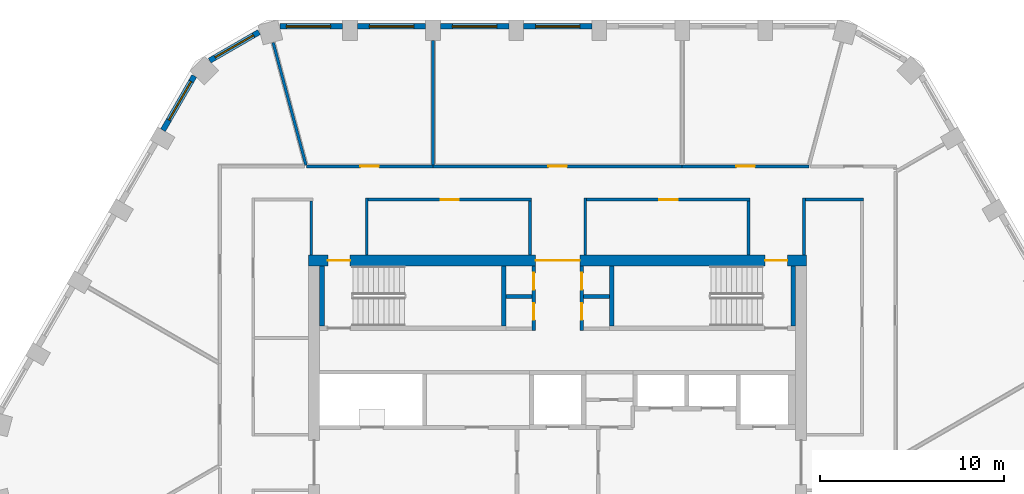
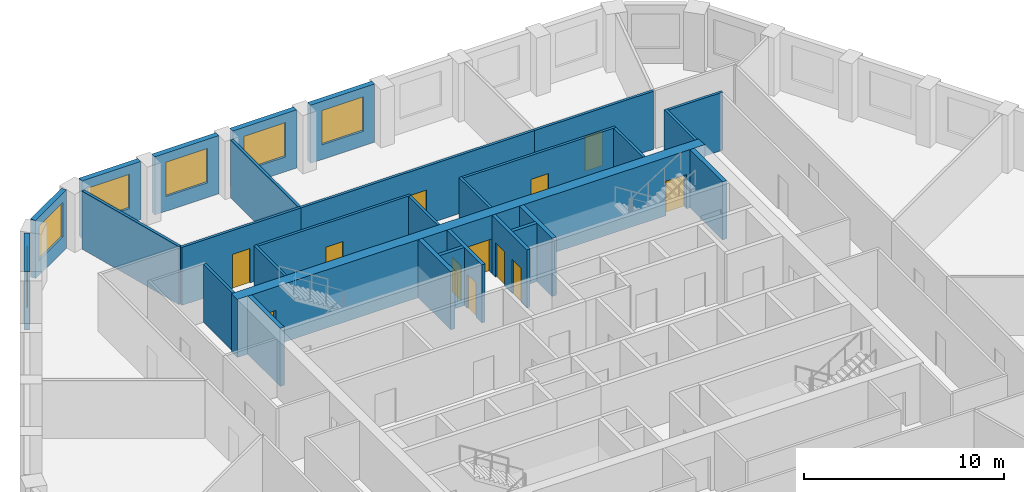
# One storey, part 6 of 13: 29 walls, 12 doors, 6 windows, 18 openings.
"""IFC4 building model written with IfcOpenShell, lengths in metres."""

from ifc_helpers import new_model, si_unit, direction, frame, frame_2d, origin, place, context, subcontext, project, spatial, rectangle, extrude, material, layer, layer_set, type_object, element, fill, save


model = new_model("IFC4")

# Units and contexts
model_context = context("Model", 3, precision=1e-05, world=origin(), true_north=direction((0.0, 1.0)))
body_context = subcontext(model_context, "Body", "Model", "MODEL_VIEW")
ifc_project = project(units=[si_unit("LENGTHUNIT", "METRE"), si_unit("AREAUNIT", "SQUARE_METRE"), si_unit("VOLUMEUNIT", "CUBIC_METRE"), si_unit("PLANEANGLEUNIT", "RADIAN"), si_unit("MASSUNIT", "GRAM", prefix="KILO")], contexts=[model_context])

# Site, building, storey
site_placement = place(None, origin())
site = spatial("IfcSite", under=ifc_project, at=site_placement, CompositionType="ELEMENT")
building_placement = place(site_placement, origin())
building = spatial("IfcBuilding", under=site, at=building_placement, Name="Dhurran Vertical Campus", CompositionType="ELEMENT")
storey_placement = place(building_placement, frame((0.0, 0.0, 187.800048828125)))
storey = spatial("IfcBuildingStorey", under=building, at=storey_placement, Name="L46", CompositionType="ELEMENT", Elevation=187.800048828125)

# Wall, opening, window
ifc_material_1 = material(Name="Precast concrete C50/60", Category="concrete")
ifc_layer_1 = layer(ifc_material_1, 0.300048828125)
ifc_layer_set_1 = layer_set([ifc_layer_1], Name="Precast concrete C50/60")
wall_type_1 = type_object("IfcWallType", Name="Precast spandrel wall 300", PredefinedType="SOLIDWALL", material=ifc_layer_set_1)
wall_1_placement = place(storey_placement, frame((1.849609375, 23.635498046875, 0.0), z_axis=(0.0, 0.0, 1.0), x_axis=(-1.0, 0.0, 0.0)))
wall_1 = element("IfcWall", 1, at=wall_1_placement, inside=storey, type_object=wall_type_1, Name="EW1 L46.23", PredefinedType="SOLIDWALL", context=body_context, shape_type="SweptSolid", body=[
    extrude(rectangle(XDim=3.69921875, YDim=0.300048828125, at=frame_2d((1.849609375, 0.0))), origin(), (0.0, 0.0, 1.0), 3.550048828125),
])
opening_1_placement = place(wall_1_placement, frame((0.6494140625, 0.0, 0.89990234375)))
opening_1 = element("IfcOpeningElement", 2, at=opening_1_placement, cuts=wall_1, Name="Opening WT1", PredefinedType="OPENING", context=body_context, shape_type="SweptSolid", body=[
    extrude(rectangle(XDim=2.39990234375, YDim=2.10009765625, at=frame_2d((1.199951171875, 1.050048828125))), frame((0.0, 0.159912109375, 0.0), z_axis=(0.0, -1.0, 0.0), x_axis=(1.0, 0.0, 0.0)), (0.0, 0.0, 1.0), 0.320068359375),
])
ifc_material_2 = material(Name="Aluminium frame with solar-control glass", Category="aluminium")
window_type = type_object("IfcWindowType", Name="Punched window 2400 x 2100", PartitioningType="SINGLE_PANEL", PredefinedType="WINDOW", material=ifc_material_2)
window_1_placement = place(opening_1_placement, origin())
window_1 = element("IfcWindow", 3, at=window_1_placement, inside=storey, type_object=window_type, Name="WT1 L46.23", OverallHeight=2.10009765625, OverallWidth=2.39990234375, PartitioningType="SINGLE_PANEL", PredefinedType="WINDOW", context=body_context, shape_type="SweptSolid", body=[
    extrude(rectangle(XDim=2.39990234375, YDim=2.10009765625, at=frame_2d((1.199951171875, 1.050048828125))), frame((0.0, 0.030029296875, 0.0), z_axis=(0.0, -1.0, 0.0), x_axis=(1.0, 0.0, 0.0)), (0.0, 0.0, 1.0), 0.06005859375),
])
fill(opening_1, window_1)

wall_2_placement = place(storey_placement, frame((-2.650390625, 23.635498046875, 0.0), z_axis=(0.0, 0.0, 1.0), x_axis=(-1.0, 0.0, 0.0)))
wall_2 = element("IfcWall", 4, at=wall_2_placement, inside=storey, type_object=wall_type_1, Name="EW1 L46.24", PredefinedType="SOLIDWALL", context=body_context, shape_type="SweptSolid", body=[
    extrude(rectangle(XDim=3.69921875, YDim=0.300048828125, at=frame_2d((1.849609375, 0.0))), origin(), (0.0, 0.0, 1.0), 3.550048828125),
])
opening_2_placement = place(wall_2_placement, frame((0.6494140625, 0.0, 0.89990234375)))
opening_2 = element("IfcOpeningElement", 5, at=opening_2_placement, cuts=wall_2, Name="Opening WT1", PredefinedType="OPENING", context=body_context, shape_type="SweptSolid", body=[
    extrude(rectangle(XDim=2.39990234375, YDim=2.10009765625, at=frame_2d((1.199951171875, 1.050048828125))), frame((0.0, 0.159912109375, 0.0), z_axis=(0.0, -1.0, 0.0), x_axis=(1.0, 0.0, 0.0)), (0.0, 0.0, 1.0), 0.320068359375),
])
window_2_placement = place(opening_2_placement, origin())
window_2 = element("IfcWindow", 6, at=window_2_placement, inside=storey, type_object=window_type, Name="WT1 L46.24", OverallHeight=2.10009765625, OverallWidth=2.39990234375, PartitioningType="SINGLE_PANEL", PredefinedType="WINDOW", context=body_context, shape_type="SweptSolid", body=[
    extrude(rectangle(XDim=2.39990234375, YDim=2.10009765625, at=frame_2d((1.199951171875, 1.050048828125))), frame((0.0, 0.030029296875, 0.0), z_axis=(0.0, -1.0, 0.0), x_axis=(1.0, 0.0, 0.0)), (0.0, 0.0, 1.0), 0.06005859375),
])
fill(opening_2, window_2)

wall_3_placement = place(storey_placement, frame((-7.150390625, 23.635498046875, 0.0), z_axis=(0.0, 0.0, 1.0), x_axis=(-1.0, 0.0, 0.0)))
wall_3 = element("IfcWall", 7, at=wall_3_placement, inside=storey, type_object=wall_type_1, Name="EW1 L46.25", PredefinedType="SOLIDWALL", context=body_context, shape_type="SweptSolid", body=[
    extrude(rectangle(XDim=3.69921875, YDim=0.300048828125, at=frame_2d((1.849609375, 0.0))), origin(), (0.0, 0.0, 1.0), 3.550048828125),
])
opening_3_placement = place(wall_3_placement, frame((0.6494140625, 0.0, 0.89990234375)))
opening_3 = element("IfcOpeningElement", 8, at=opening_3_placement, cuts=wall_3, Name="Opening WT1", PredefinedType="OPENING", context=body_context, shape_type="SweptSolid", body=[
    extrude(rectangle(XDim=2.39990234375, YDim=2.10009765625, at=frame_2d((1.199951171875, 1.050048828125))), frame((0.0, 0.159912109375, 0.0), z_axis=(0.0, -1.0, 0.0), x_axis=(1.0, 0.0, 0.0)), (0.0, 0.0, 1.0), 0.320068359375),
])
window_3_placement = place(opening_3_placement, origin())
window_3 = element("IfcWindow", 9, at=window_3_placement, inside=storey, type_object=window_type, Name="WT1 L46.25", OverallHeight=2.10009765625, OverallWidth=2.39990234375, PartitioningType="SINGLE_PANEL", PredefinedType="WINDOW", context=body_context, shape_type="SweptSolid", body=[
    extrude(rectangle(XDim=2.39990234375, YDim=2.10009765625, at=frame_2d((1.199951171875, 1.050048828125))), frame((0.0, 0.030029296875, 0.0), z_axis=(0.0, -1.0, 0.0), x_axis=(1.0, 0.0, 0.0)), (0.0, 0.0, 1.0), 0.06005859375),
])
fill(opening_3, window_3)

wall_4_placement = place(storey_placement, frame((-11.650390625, 23.635498046875, 0.0), z_axis=(0.0, 0.0, 1.0), x_axis=(-1.0, 0.0, 0.0)))
wall_4 = element("IfcWall", 10, at=wall_4_placement, inside=storey, type_object=wall_type_1, Name="EW1 L46.26", PredefinedType="SOLIDWALL", context=body_context, shape_type="SweptSolid", body=[
    extrude(rectangle(XDim=3.39599609375, YDim=0.300048828125, at=frame_2d((1.697998046875, 0.0))), origin(), (0.0, 0.0, 1.0), 3.550048828125),
])
opening_4_placement = place(wall_4_placement, frame((0.6494140625, 0.0, 0.89990234375)))
opening_4 = element("IfcOpeningElement", 11, at=opening_4_placement, cuts=wall_4, Name="Opening WT1", PredefinedType="OPENING", context=body_context, shape_type="SweptSolid", body=[
    extrude(rectangle(XDim=2.39990234375, YDim=2.10009765625, at=frame_2d((1.199951171875, 1.050048828125))), frame((0.0, 0.159912109375, 0.0), z_axis=(0.0, -1.0, 0.0), x_axis=(1.0, 0.0, 0.0)), (0.0, 0.0, 1.0), 0.320068359375),
])
window_4_placement = place(opening_4_placement, origin())
window_4 = element("IfcWindow", 12, at=window_4_placement, inside=storey, type_object=window_type, Name="WT1 L46.26", OverallHeight=2.10009765625, OverallWidth=2.39990234375, PartitioningType="SINGLE_PANEL", PredefinedType="WINDOW", context=body_context, shape_type="SweptSolid", body=[
    extrude(rectangle(XDim=2.39990234375, YDim=2.10009765625, at=frame_2d((1.199951171875, 1.050048828125))), frame((0.0, 0.030029296875, 0.0), z_axis=(0.0, -1.0, 0.0), x_axis=(1.0, 0.0, 0.0)), (0.0, 0.0, 1.0), 0.06005859375),
])
fill(opening_4, window_4)

wall_5_placement = place(storey_placement, frame((-16.184326171875, 23.330810546875, 0.0), z_axis=(0.0, 0.0, 1.0), x_axis=(-0.865994975416, -0.500052699777, 0.0)))
wall_5 = element("IfcWall", 13, at=wall_5_placement, inside=storey, type_object=wall_type_1, Name="EW1 L46.27", PredefinedType="SOLIDWALL", context=body_context, shape_type="SweptSolid", body=[
    extrude(rectangle(XDim=3.093017578125, YDim=0.300048828125, at=frame_2d((1.54638671875, 0.0))), origin(), (0.0, 0.0, 1.0), 3.550048828125),
])
opening_5_placement = place(wall_5_placement, frame((0.346435546875, 0.0, 0.89990234375)))
opening_5 = element("IfcOpeningElement", 14, at=opening_5_placement, cuts=wall_5, Name="Opening WT1", PredefinedType="OPENING", context=body_context, shape_type="SweptSolid", body=[
    extrude(rectangle(XDim=2.39990234375, YDim=2.10009765625, at=frame_2d((1.199951171875, 1.050048828125))), frame((0.0, 0.159912109375, 0.0), z_axis=(0.0, -1.0, 0.0), x_axis=(1.0, 0.0, 0.0)), (0.0, 0.0, 1.0), 0.320068359375),
])
window_5_placement = place(opening_5_placement, origin())
window_5 = element("IfcWindow", 15, at=window_5_placement, inside=storey, type_object=window_type, Name="WT1 L46.27", OverallHeight=2.10009765625, OverallWidth=2.39990234375, PartitioningType="SINGLE_PANEL", PredefinedType="WINDOW", context=body_context, shape_type="SweptSolid", body=[
    extrude(rectangle(XDim=2.39990234375, YDim=2.10009765625, at=frame_2d((1.199951171875, 1.050048828125))), frame((0.0, 0.030029296875, 0.0), z_axis=(0.0, -1.0, 0.0), x_axis=(1.0, 0.0, 0.0)), (0.0, 0.0, 1.0), 0.06005859375),
])
fill(opening_5, window_5)

wall_6_placement = place(storey_placement, frame((-19.69580078125, 20.951171875, 0.0), z_axis=(0.0, 0.0, 1.0), x_axis=(-0.500012868213, -0.866017974191, 0.0)))
wall_6 = element("IfcWall", 16, at=wall_6_placement, inside=storey, type_object=wall_type_1, Name="EW1 L46.28", PredefinedType="SOLIDWALL", context=body_context, shape_type="SweptSolid", body=[
    extrude(rectangle(XDim=3.39599609375, YDim=0.300048828125, at=frame_2d((1.697998046875, 0.0))), origin(), (0.0, 0.0, 1.0), 3.550048828125),
])
opening_6_placement = place(wall_6_placement, frame((0.346435546875, 0.0, 0.89990234375)))
opening_6 = element("IfcOpeningElement", 17, at=opening_6_placement, cuts=wall_6, Name="Opening WT1", PredefinedType="OPENING", context=body_context, shape_type="SweptSolid", body=[
    extrude(rectangle(XDim=2.39990234375, YDim=2.10009765625, at=frame_2d((1.199951171875, 1.050048828125))), frame((0.0, 0.159912109375, 0.0), z_axis=(0.0, -1.0, 0.0), x_axis=(1.0, 0.0, 0.0)), (0.0, 0.0, 1.0), 0.320068359375),
])
window_6_placement = place(opening_6_placement, origin())
window_6 = element("IfcWindow", 18, at=window_6_placement, inside=storey, type_object=window_type, Name="WT1 L46.28", OverallHeight=2.10009765625, OverallWidth=2.39990234375, PartitioningType="SINGLE_PANEL", PredefinedType="WINDOW", context=body_context, shape_type="SweptSolid", body=[
    extrude(rectangle(XDim=2.39990234375, YDim=2.10009765625, at=frame_2d((1.199951171875, 1.050048828125))), frame((0.0, 0.030029296875, 0.0), z_axis=(0.0, -1.0, 0.0), x_axis=(1.0, 0.0, 0.0)), (0.0, 0.0, 1.0), 0.06005859375),
])
fill(opening_6, window_6)

# Wall, openings, doors
ifc_material_3 = material(Name="Concrete C50/60", Category="concrete")
ifc_layer_2 = layer(ifc_material_3, 0.60009765625)
ifc_layer_set_2 = layer_set([ifc_layer_2], Name="Concrete C50/60")
wall_type_2 = type_object("IfcWallType", Name="co-CORE-WALL-C2-600", PredefinedType="SHEAR", material=ifc_layer_set_2)
wall_7_placement = place(storey_placement, frame((-13.5, 10.949951171875, 0.0), z_axis=(0.0, 0.0, 1.0), x_axis=(1.0, 0.0, 0.0)))
wall_7 = element("IfcWall", 19, at=wall_7_placement, inside=storey, type_object=wall_type_2, Name="Core wall N L46", PredefinedType="SHEAR", context=body_context, shape_type="SweptSolid", body=[
    extrude(rectangle(XDim=27.0, YDim=0.60009765625, at=frame_2d((13.5, 0.0))), origin(), (0.0, 0.0, 1.0), 3.550048828125),
])
opening_7_placement = place(wall_7_placement, frame((12.300048828125, 0.0, 0.0)))
opening_7 = element("IfcOpeningElement", 20, at=opening_7_placement, cuts=wall_7, Name="Opening CV1", PredefinedType="OPENING", context=body_context, shape_type="SweptSolid", body=[
    extrude(rectangle(XDim=2.39990234375, YDim=2.10009765625, at=frame_2d((1.199951171875, 1.050048828125))), frame((0.0, 0.31005859375, 0.0), z_axis=(0.0, -1.0, 0.0), x_axis=(1.0, 0.0, 0.0)), (0.0, 0.0, 1.0), 0.6201171875),
])
opening_8_placement = place(wall_7_placement, frame((1.050048828125, 0.0, 0.0)))
opening_8 = element("IfcOpeningElement", 21, at=opening_8_placement, cuts=wall_7, Name="Opening XD1", PredefinedType="OPENING", context=body_context, shape_type="SweptSolid", body=[
    extrude(rectangle(XDim=1.199951171875, YDim=2.10009765625, at=frame_2d((0.60009765625, 1.050048828125))), frame((0.0, 0.31005859375, 0.0), z_axis=(0.0, -1.0, 0.0), x_axis=(1.0, 0.0, 0.0)), (0.0, 0.0, 1.0), 0.6201171875),
])
opening_9_placement = place(wall_7_placement, frame((24.75, 0.0, 0.0)))
opening_9 = element("IfcOpeningElement", 22, at=opening_9_placement, cuts=wall_7, Name="Opening XD2", PredefinedType="OPENING", context=body_context, shape_type="SweptSolid", body=[
    extrude(rectangle(XDim=1.199951171875, YDim=2.10009765625, at=frame_2d((0.60009765625, 1.050048828125))), frame((0.0, 0.31005859375, 0.0), z_axis=(0.0, -1.0, 0.0), x_axis=(1.0, 0.0, 0.0)), (0.0, 0.0, 1.0), 0.6201171875),
])
ifc_material_4 = material(Name="Fire-rated glazed door set")
door_type_1 = type_object("IfcDoorType", Name="co-D-LOBBY 2400x2100", OperationType="DOUBLE_DOOR_DOUBLE_SWING", PredefinedType="DOOR", material=ifc_material_4)
door_1_placement = place(opening_7_placement, origin())
door_1 = element("IfcDoor", 23, at=door_1_placement, inside=storey, type_object=door_type_1, Name="Core vestibule door N L46", OperationType="DOUBLE_DOOR_DOUBLE_SWING", OverallHeight=2.10009765625, OverallWidth=2.39990234375, PredefinedType="DOOR", context=body_context, shape_type="SweptSolid", body=[
    extrude(rectangle(XDim=2.39990234375, YDim=2.10009765625, at=frame_2d((1.199951171875, 1.050048828125))), frame((0.0, 0.02490234375, 0.0), z_axis=(0.0, -1.0, 0.0), x_axis=(1.0, 0.0, 0.0)), (0.0, 0.0, 1.0), 0.050048828125),
])
fill(opening_7, door_1)
ifc_material_5 = material(Name="Fire-rated steel door set", Category="steel")
door_type_2 = type_object("IfcDoorType", Name="co-D-STAIR-EXIT 1200x2100", OperationType="SINGLE_SWING_RIGHT", PredefinedType="DOOR", material=ifc_material_5)
door_2_placement = place(opening_8_placement, origin())
door_2 = element("IfcDoor", 24, at=door_2_placement, inside=storey, type_object=door_type_2, Name="Stair ST1 exit door L46", OperationType="SINGLE_SWING_RIGHT", OverallHeight=2.10009765625, OverallWidth=1.199951171875, PredefinedType="DOOR", context=body_context, shape_type="SweptSolid", body=[
    extrude(rectangle(XDim=1.199951171875, YDim=2.10009765625, at=frame_2d((0.60009765625, 1.050048828125))), frame((0.0, 0.02490234375, 0.0), z_axis=(0.0, -1.0, 0.0), x_axis=(1.0, 0.0, 0.0)), (0.0, 0.0, 1.0), 0.050048828125),
])
fill(opening_8, door_2)
door_3_placement = place(opening_9_placement, origin())
door_3 = element("IfcDoor", 25, at=door_3_placement, inside=storey, type_object=door_type_2, Name="Stair ST2 exit door L46", OperationType="SINGLE_SWING_RIGHT", OverallHeight=2.10009765625, OverallWidth=1.199951171875, PredefinedType="DOOR", context=body_context, shape_type="SweptSolid", body=[
    extrude(rectangle(XDim=1.199951171875, YDim=2.10009765625, at=frame_2d((0.60009765625, 1.050048828125))), frame((0.0, 0.02490234375, 0.0), z_axis=(0.0, -1.0, 0.0), x_axis=(1.0, 0.0, 0.0)), (0.0, 0.0, 1.0), 0.050048828125),
])
fill(opening_9, door_3)

# Walls
ifc_material_6 = material(Name="Fire-rated masonry blockwork", Category="masonry")
ifc_layer_3 = layer(ifc_material_6, 0.199951171875)
ifc_layer_set_3 = layer_set([ifc_layer_3], Name="Fire-rated masonry blockwork")
wall_type_3 = type_object("IfcWallType", Name="co-FIRE-PARTITION-200", PredefinedType="PARTITIONING", material=ifc_layer_set_3)
for number, where, z_axis, x_axis, name in (
    (26, (-2.800048828125, 9.0, 0.0), (0.0, 0.0, 1.0), (1.0, 0.0, 0.0), "Core partition sl-NW-cut0 L46"),
    (27, (1.39990234375, 9.0, 0.0), (0.0, 0.0, 1.0), (1.0, 0.0, 0.0), "Core partition sl-NE-cut0 L46"),
):
    element("IfcWall", number, at=place(storey_placement, frame(where, z_axis=z_axis, x_axis=x_axis)), inside=storey, type_object=wall_type_3, Name=name, PredefinedType="PARTITIONING", context=body_context, shape_type="SweptSolid", body=[
        extrude(rectangle(XDim=1.400146484375, YDim=0.199951171875, at=frame_2d((0.7001953125, 0.0))), origin(), (0.0, 0.0, 1.0), 3.550048828125),
    ])

# Wall, openings, doors
wall_8_placement = place(storey_placement, frame((-1.300048828125, 7.14990234375, 0.0), z_axis=(0.0, 0.0, 1.0), x_axis=(0.0, 1.0, 0.0)))
wall_8 = element("IfcWall", 28, at=wall_8_placement, inside=storey, type_object=wall_type_3, Name="Core partition vest-NW L46", PredefinedType="PARTITIONING", context=body_context, shape_type="SweptSolid", body=[
    extrude(rectangle(XDim=3.5, YDim=0.199951171875, at=frame_2d((1.75, 0.0))), origin(), (0.0, 0.0, 1.0), 3.550048828125),
])
opening_10_placement = place(wall_8_placement, frame((0.574951171875, 0.0, 0.0)))
opening_10 = element("IfcOpeningElement", 29, at=opening_10_placement, cuts=wall_8, Name="Opening T13-C4", PredefinedType="OPENING", context=body_context, shape_type="SweptSolid", body=[
    extrude(rectangle(XDim=0.89990234375, YDim=2.10009765625, at=frame_2d((0.449951171875, 1.050048828125))), frame((0.0, 0.10986328125, 0.0), z_axis=(0.0, -1.0, 0.0), x_axis=(1.0, 0.0, 0.0)), (0.0, 0.0, 1.0), 0.219970703125),
])
opening_11_placement = place(wall_8_placement, frame((2.22509765625, 0.0, 0.0)))
opening_11 = element("IfcOpeningElement", 30, at=opening_11_placement, cuts=wall_8, Name="Opening T13-C5", PredefinedType="OPENING", context=body_context, shape_type="SweptSolid", body=[
    extrude(rectangle(XDim=0.89990234375, YDim=2.10009765625, at=frame_2d((0.449951171875, 1.050048828125))), frame((0.0, 0.10986328125, 0.0), z_axis=(0.0, -1.0, 0.0), x_axis=(1.0, 0.0, 0.0)), (0.0, 0.0, 1.0), 0.219970703125),
])
ifc_material_7 = material(Name="Fire-rated timber door set", Category="wood")
door_type_3 = type_object("IfcDoorType", Name="co-D-ROOM 900x2100", OperationType="SINGLE_SWING_LEFT", PredefinedType="DOOR", material=ifc_material_7)
door_4_placement = place(opening_10_placement, origin())
door_4 = element("IfcDoor", 31, at=door_4_placement, inside=storey, type_object=door_type_3, Name="Store door L46", OperationType="SINGLE_SWING_LEFT", OverallHeight=2.10009765625, OverallWidth=0.89990234375, PredefinedType="DOOR", context=body_context, shape_type="SweptSolid", body=[
    extrude(rectangle(XDim=0.89990234375, YDim=2.10009765625, at=frame_2d((0.449951171875, 1.050048828125))), frame((0.0, 0.02490234375, 0.0), z_axis=(0.0, -1.0, 0.0), x_axis=(1.0, 0.0, 0.0)), (0.0, 0.0, 1.0), 0.050048828125),
])
fill(opening_10, door_4)
door_5_placement = place(opening_11_placement, origin())
door_5 = element("IfcDoor", 32, at=door_5_placement, inside=storey, type_object=door_type_3, Name="Housekeeping store door L46", OperationType="SINGLE_SWING_LEFT", OverallHeight=2.10009765625, OverallWidth=0.89990234375, PredefinedType="DOOR", context=body_context, shape_type="SweptSolid", body=[
    extrude(rectangle(XDim=0.89990234375, YDim=2.10009765625, at=frame_2d((0.449951171875, 1.050048828125))), frame((0.0, 0.02490234375, 0.0), z_axis=(0.0, -1.0, 0.0), x_axis=(1.0, 0.0, 0.0)), (0.0, 0.0, 1.0), 0.050048828125),
])
fill(opening_11, door_5)

wall_9_placement = place(storey_placement, frame((1.300048828125, 7.14990234375, 0.0), z_axis=(0.0, 0.0, 1.0), x_axis=(0.0, 1.0, 0.0)))
wall_9 = element("IfcWall", 33, at=wall_9_placement, inside=storey, type_object=wall_type_3, Name="Core partition vest-NE L46", PredefinedType="PARTITIONING", context=body_context, shape_type="SweptSolid", body=[
    extrude(rectangle(XDim=3.5, YDim=0.199951171875, at=frame_2d((1.75, 0.0))), origin(), (0.0, 0.0, 1.0), 3.550048828125),
])
opening_12_placement = place(wall_9_placement, frame((0.574951171875, 0.0, 0.0)))
opening_12 = element("IfcOpeningElement", 34, at=opening_12_placement, cuts=wall_9, Name="Opening T13-C6", PredefinedType="OPENING", context=body_context, shape_type="SweptSolid", body=[
    extrude(rectangle(XDim=0.89990234375, YDim=2.10009765625, at=frame_2d((0.449951171875, 1.050048828125))), frame((0.0, 0.10986328125, 0.0), z_axis=(0.0, -1.0, 0.0), x_axis=(1.0, 0.0, 0.0)), (0.0, 0.0, 1.0), 0.219970703125),
])
opening_13_placement = place(wall_9_placement, frame((2.22509765625, 0.0, 0.0)))
opening_13 = element("IfcOpeningElement", 35, at=opening_13_placement, cuts=wall_9, Name="Opening T13-C7", PredefinedType="OPENING", context=body_context, shape_type="SweptSolid", body=[
    extrude(rectangle(XDim=0.89990234375, YDim=2.10009765625, at=frame_2d((0.449951171875, 1.050048828125))), frame((0.0, 0.10986328125, 0.0), z_axis=(0.0, -1.0, 0.0), x_axis=(1.0, 0.0, 0.0)), (0.0, 0.0, 1.0), 0.219970703125),
])
door_6_placement = place(opening_12_placement, origin())
door_6 = element("IfcDoor", 36, at=door_6_placement, inside=storey, type_object=door_type_3, Name="Fire equipment store door L46", OperationType="SINGLE_SWING_LEFT", OverallHeight=2.10009765625, OverallWidth=0.89990234375, PredefinedType="DOOR", context=body_context, shape_type="SweptSolid", body=[
    extrude(rectangle(XDim=0.89990234375, YDim=2.10009765625, at=frame_2d((0.449951171875, 1.050048828125))), frame((0.0, 0.02490234375, 0.0), z_axis=(0.0, -1.0, 0.0), x_axis=(1.0, 0.0, 0.0)), (0.0, 0.0, 1.0), 0.050048828125),
])
fill(opening_12, door_6)
door_7_placement = place(opening_13_placement, origin())
door_7 = element("IfcDoor", 37, at=door_7_placement, inside=storey, type_object=door_type_3, Name="Plant room door L46", OperationType="SINGLE_SWING_LEFT", OverallHeight=2.10009765625, OverallWidth=0.89990234375, PredefinedType="DOOR", context=body_context, shape_type="SweptSolid", body=[
    extrude(rectangle(XDim=0.89990234375, YDim=2.10009765625, at=frame_2d((0.449951171875, 1.050048828125))), frame((0.0, 0.02490234375, 0.0), z_axis=(0.0, -1.0, 0.0), x_axis=(1.0, 0.0, 0.0)), (0.0, 0.0, 1.0), 0.050048828125),
])
fill(opening_13, door_7)

# Walls
ifc_material_8 = material(Name="Concrete C40/50", Category="concrete")
ifc_layer_4 = layer(ifc_material_8, 0.25)
ifc_layer_set_4 = layer_set([ifc_layer_4], Name="Concrete C40/50")
wall_type_4 = type_object("IfcWallType", Name="co-STAIR-WALL-250", PredefinedType="SHEAR", material=ifc_layer_set_4)
for number, where, z_axis, x_axis, name in (
    (38, (-12.77490234375, 7.39990234375, 0.0), (0.0, 0.0, 1.0), (0.0, 1.0, 0.0), "Stair ST1 enclosure wall L46"),
    (39, (-2.925048828125, 7.39990234375, 0.0), (0.0, 0.0, 1.0), (0.0, 1.0, 0.0), "Stair ST1 enclosure wall L46"),
    (40, (2.925048828125, 7.39990234375, 0.0), (0.0, 0.0, 1.0), (0.0, 1.0, 0.0), "Stair ST2 enclosure wall L46"),
    (41, (12.77490234375, 7.39990234375, 0.0), (0.0, 0.0, 1.0), (0.0, 1.0, 0.0), "Stair ST2 enclosure wall L46"),
):
    element("IfcWall", number, at=place(storey_placement, frame(where, z_axis=z_axis, x_axis=x_axis)), inside=storey, type_object=wall_type_4, Name=name, PredefinedType="SHEAR", context=body_context, shape_type="SweptSolid", body=[
        extrude(rectangle(XDim=3.25, YDim=0.25, at=frame_2d((1.625, 0.0))), origin(), (0.0, 0.0, 1.0), 3.550048828125),
    ])

# Wall, opening, door
ifc_material_9 = material(Name="Gypsum board corridor wall on steel studs", Category="steel")
ifc_layer_5 = layer(ifc_material_9, 0.14990234375)
ifc_layer_set_5 = layer_set([ifc_layer_5], Name="Gypsum board corridor wall on steel studs")
wall_type_5 = type_object("IfcWallType", Name="fl-CW-150 corridor wall", PredefinedType="PARTITIONING", material=ifc_layer_set_5)
wall_10_placement = place(storey_placement, frame((-6.75, 16.050048828125, 0.0), z_axis=(0.0, 0.0, 1.0), x_axis=(-1.0, 0.0, 0.0)))
wall_10 = element("IfcWall", 42, at=wall_10_placement, inside=storey, type_object=wall_type_5, Name="Partition 46-21", PredefinedType="PARTITIONING", context=body_context, shape_type="SweptSolid", body=[
    extrude(rectangle(XDim=6.8740234375, YDim=0.14990234375, at=frame_2d((3.43701171875, 0.0))), origin(), (0.0, 0.0, 1.0), 3.550048828125),
])
opening_14_placement = place(wall_10_placement, frame((2.93701171875, 0.0, 0.0)))
opening_14 = element("IfcOpeningElement", 43, at=opening_14_placement, cuts=wall_10, Name="Opening T13.09", PredefinedType="OPENING", context=body_context, shape_type="SweptSolid", body=[
    extrude(rectangle(XDim=1.0, YDim=2.10009765625, at=frame_2d((0.5, 1.050048828125))), frame((0.0, 0.0849609375, 0.0), z_axis=(0.0, -1.0, 0.0), x_axis=(1.0, 0.0, 0.0)), (0.0, 0.0, 1.0), 0.169921875),
])
ifc_material_10 = material(Name="Solid-core timber door set, fire-rated", Category="wood")
door_type_4 = type_object("IfcDoorType", Name="fl-D-1000x2100", OperationType="SINGLE_SWING_LEFT", PredefinedType="DOOR", material=ifc_material_10)
door_8_placement = place(opening_14_placement, origin())
door_8 = element("IfcDoor", 44, at=door_8_placement, inside=storey, type_object=door_type_4, Name="Door 46.09", OperationType="SINGLE_SWING_RIGHT", OverallHeight=2.10009765625, OverallWidth=1.0, PredefinedType="DOOR", context=body_context, shape_type="SweptSolid", body=[
    extrude(rectangle(XDim=1.0, YDim=2.10009765625, at=frame_2d((0.5, 1.050048828125))), frame((0.0, 0.02490234375, 0.0), z_axis=(0.0, -1.0, 0.0), x_axis=(1.0, 0.0, 0.0)), (0.0, 0.0, 1.0), 0.050048828125),
])
fill(opening_14, door_8)

# Walls
wall_11_placement = place(storey_placement, frame((-13.35009765625, 14.175048828125, 0.0), z_axis=(0.0, 0.0, 1.0), x_axis=(0.0, -1.0, 0.0)))
element("IfcWall", 45, at=wall_11_placement, inside=storey, type_object=wall_type_5, Name="Partition 46-23", PredefinedType="PARTITIONING", context=body_context, shape_type="SweptSolid", body=[
    extrude(rectangle(XDim=2.925048828125, YDim=0.14990234375, at=frame_2d((1.46240234375, 0.0))), origin(), (0.0, 0.0, 1.0), 3.550048828125),
])
wall_12_placement = place(storey_placement, frame((-10.35009765625, 11.25, 0.0), z_axis=(0.0, 0.0, 1.0), x_axis=(0.0, 1.0, 0.0)))
element("IfcWall", 46, at=wall_12_placement, inside=storey, type_object=wall_type_5, Name="Partition 46-28", PredefinedType="PARTITIONING", context=body_context, shape_type="SweptSolid", body=[
    extrude(rectangle(XDim=3.074951171875, YDim=0.14990234375, at=frame_2d((1.53759765625, 0.0))), origin(), (0.0, 0.0, 1.0), 3.550048828125),
])

# Wall, opening, door
wall_13_placement = place(storey_placement, frame((-10.27490234375, 14.25, 0.0), z_axis=(0.0, 0.0, 1.0), x_axis=(1.0, 0.0, 0.0)))
wall_13 = element("IfcWall", 47, at=wall_13_placement, inside=storey, type_object=wall_type_5, Name="Partition 46-29", PredefinedType="PARTITIONING", context=body_context, shape_type="SweptSolid", body=[
    extrude(rectangle(XDim=8.849853515625, YDim=0.14990234375, at=frame_2d((4.4248046875, 0.0))), origin(), (0.0, 0.0, 1.0), 3.550048828125),
])
opening_15_placement = place(wall_13_placement, frame((3.925048828125, 0.0, 0.0)))
opening_15 = element("IfcOpeningElement", 48, at=opening_15_placement, cuts=wall_13, Name="Opening T13.11", PredefinedType="OPENING", context=body_context, shape_type="SweptSolid", body=[
    extrude(rectangle(XDim=1.0, YDim=2.10009765625, at=frame_2d((0.5, 1.050048828125))), frame((0.0, 0.0849609375, 0.0), z_axis=(0.0, -1.0, 0.0), x_axis=(1.0, 0.0, 0.0)), (0.0, 0.0, 1.0), 0.169921875),
])
door_9_placement = place(opening_15_placement, origin())
door_9 = element("IfcDoor", 49, at=door_9_placement, inside=storey, type_object=door_type_4, Name="Door 46.11", OperationType="SINGLE_SWING_LEFT", OverallHeight=2.10009765625, OverallWidth=1.0, PredefinedType="DOOR", context=body_context, shape_type="SweptSolid", body=[
    extrude(rectangle(XDim=1.0, YDim=2.10009765625, at=frame_2d((0.5, 1.050048828125))), frame((0.0, 0.02490234375, 0.0), z_axis=(0.0, -1.0, 0.0), x_axis=(1.0, 0.0, 0.0)), (0.0, 0.0, 1.0), 0.050048828125),
])
fill(opening_15, door_9)

wall_14_placement = place(storey_placement, frame((6.75, 16.050048828125, 0.0), z_axis=(0.0, 0.0, 1.0), x_axis=(-1.0, 0.0, 0.0)))
wall_14 = element("IfcWall", 50, at=wall_14_placement, inside=storey, type_object=wall_type_5, Name="Partition 46-31", PredefinedType="PARTITIONING", context=body_context, shape_type="SweptSolid", body=[
    extrude(rectangle(XDim=13.5, YDim=0.14990234375, at=frame_2d((6.75, 0.0))), origin(), (0.0, 0.0, 1.0), 3.550048828125),
])
opening_16_placement = place(wall_14_placement, frame((6.25, 0.0, 0.0)))
opening_16 = element("IfcOpeningElement", 51, at=opening_16_placement, cuts=wall_14, Name="Opening T13.13", PredefinedType="OPENING", context=body_context, shape_type="SweptSolid", body=[
    extrude(rectangle(XDim=1.0, YDim=2.10009765625, at=frame_2d((0.5, 1.050048828125))), frame((0.0, 0.0849609375, 0.0), z_axis=(0.0, -1.0, 0.0), x_axis=(1.0, 0.0, 0.0)), (0.0, 0.0, 1.0), 0.169921875),
])
door_10_placement = place(opening_16_placement, origin())
door_10 = element("IfcDoor", 52, at=door_10_placement, inside=storey, type_object=door_type_4, Name="Door 46.13", OperationType="SINGLE_SWING_LEFT", OverallHeight=2.10009765625, OverallWidth=1.0, PredefinedType="DOOR", context=body_context, shape_type="SweptSolid", body=[
    extrude(rectangle(XDim=1.0, YDim=2.10009765625, at=frame_2d((0.5, 1.050048828125))), frame((0.0, 0.02490234375, 0.0), z_axis=(0.0, -1.0, 0.0), x_axis=(1.0, 0.0, 0.0)), (0.0, 0.0, 1.0), 0.050048828125),
])
fill(opening_16, door_10)

# Walls
wall_15_placement = place(storey_placement, frame((-1.5, 14.175048828125, 0.0), z_axis=(0.0, 0.0, 1.0), x_axis=(0.0, -1.0, 0.0)))
element("IfcWall", 53, at=wall_15_placement, inside=storey, type_object=wall_type_5, Name="Partition 46-33", PredefinedType="PARTITIONING", context=body_context, shape_type="SweptSolid", body=[
    extrude(rectangle(XDim=2.925048828125, YDim=0.14990234375, at=frame_2d((1.46240234375, 0.0))), origin(), (0.0, 0.0, 1.0), 3.550048828125),
])
wall_16_placement = place(storey_placement, frame((1.5, 11.25, 0.0), z_axis=(0.0, 0.0, 1.0), x_axis=(0.0, 1.0, 0.0)))
element("IfcWall", 54, at=wall_16_placement, inside=storey, type_object=wall_type_5, Name="Partition 46-36", PredefinedType="PARTITIONING", context=body_context, shape_type="SweptSolid", body=[
    extrude(rectangle(XDim=3.074951171875, YDim=0.14990234375, at=frame_2d((1.53759765625, 0.0))), origin(), (0.0, 0.0, 1.0), 3.550048828125),
])

# Wall, opening, door
wall_17_placement = place(storey_placement, frame((1.574951171875, 14.25, 0.0), z_axis=(0.0, 0.0, 1.0), x_axis=(1.0, 0.0, 0.0)))
wall_17 = element("IfcWall", 55, at=wall_17_placement, inside=storey, type_object=wall_type_5, Name="Partition 46-37", PredefinedType="PARTITIONING", context=body_context, shape_type="SweptSolid", body=[
    extrude(rectangle(XDim=8.85009765625, YDim=0.14990234375, at=frame_2d((4.425048828125, 0.0))), origin(), (0.0, 0.0, 1.0), 3.550048828125),
])
opening_17_placement = place(wall_17_placement, frame((3.925048828125, 0.0, 0.0)))
opening_17 = element("IfcOpeningElement", 56, at=opening_17_placement, cuts=wall_17, Name="Opening T13.15", PredefinedType="OPENING", context=body_context, shape_type="SweptSolid", body=[
    extrude(rectangle(XDim=1.0, YDim=2.10009765625, at=frame_2d((0.5, 1.050048828125))), frame((0.0, 0.0849609375, 0.0), z_axis=(0.0, -1.0, 0.0), x_axis=(1.0, 0.0, 0.0)), (0.0, 0.0, 1.0), 0.169921875),
])
door_11_placement = place(opening_17_placement, origin())
door_11 = element("IfcDoor", 57, at=door_11_placement, inside=storey, type_object=door_type_4, Name="Door 46.15", OperationType="SINGLE_SWING_RIGHT", OverallHeight=2.10009765625, OverallWidth=1.0, PredefinedType="DOOR", context=body_context, shape_type="SweptSolid", body=[
    extrude(rectangle(XDim=1.0, YDim=2.10009765625, at=frame_2d((0.5, 1.050048828125))), frame((0.0, 0.02490234375, 0.0), z_axis=(0.0, -1.0, 0.0), x_axis=(1.0, 0.0, 0.0)), (0.0, 0.0, 1.0), 0.050048828125),
])
fill(opening_17, door_11)

wall_18_placement = place(storey_placement, frame((13.6240234375, 16.050048828125, 0.0), z_axis=(0.0, 0.0, 1.0), x_axis=(-1.0, 0.0, 0.0)))
wall_18 = element("IfcWall", 58, at=wall_18_placement, inside=storey, type_object=wall_type_5, Name="Partition 46-41", PredefinedType="PARTITIONING", context=body_context, shape_type="SweptSolid", body=[
    extrude(rectangle(XDim=6.8740234375, YDim=0.14990234375, at=frame_2d((3.43701171875, 0.0))), origin(), (0.0, 0.0, 1.0), 3.550048828125),
])
opening_18_placement = place(wall_18_placement, frame((2.93701171875, 0.0, 0.0)))
opening_18 = element("IfcOpeningElement", 59, at=opening_18_placement, cuts=wall_18, Name="Opening T13.17", PredefinedType="OPENING", context=body_context, shape_type="SweptSolid", body=[
    extrude(rectangle(XDim=1.0, YDim=2.10009765625, at=frame_2d((0.5, 1.050048828125))), frame((0.0, 0.0849609375, 0.0), z_axis=(0.0, -1.0, 0.0), x_axis=(1.0, 0.0, 0.0)), (0.0, 0.0, 1.0), 0.169921875),
])
door_12_placement = place(opening_18_placement, origin())
door_12 = element("IfcDoor", 60, at=door_12_placement, inside=storey, type_object=door_type_4, Name="Door 46.17", OperationType="SINGLE_SWING_RIGHT", OverallHeight=2.10009765625, OverallWidth=1.0, PredefinedType="DOOR", context=body_context, shape_type="SweptSolid", body=[
    extrude(rectangle(XDim=1.0, YDim=2.10009765625, at=frame_2d((0.5, 1.050048828125))), frame((0.0, 0.02490234375, 0.0), z_axis=(0.0, -1.0, 0.0), x_axis=(1.0, 0.0, 0.0)), (0.0, 0.0, 1.0), 0.050048828125),
])
fill(opening_18, door_12)

# Walls
wall_19_placement = place(storey_placement, frame((10.35009765625, 14.175048828125, 0.0), z_axis=(0.0, 0.0, 1.0), x_axis=(0.0, -1.0, 0.0)))
element("IfcWall", 61, at=wall_19_placement, inside=storey, type_object=wall_type_5, Name="Partition 46-43", PredefinedType="PARTITIONING", context=body_context, shape_type="SweptSolid", body=[
    extrude(rectangle(XDim=2.925048828125, YDim=0.14990234375, at=frame_2d((1.46240234375, 0.0))), origin(), (0.0, 0.0, 1.0), 3.550048828125),
])
wall_20_placement = place(storey_placement, frame((13.35009765625, 11.25, 0.0), z_axis=(0.0, 0.0, 1.0), x_axis=(0.0, 1.0, 0.0)))
element("IfcWall", 62, at=wall_20_placement, inside=storey, type_object=wall_type_5, Name="Partition 46-46", PredefinedType="PARTITIONING", context=body_context, shape_type="SweptSolid", body=[
    extrude(rectangle(XDim=3.074951171875, YDim=0.14990234375, at=frame_2d((1.53759765625, 0.0))), origin(), (0.0, 0.0, 1.0), 3.550048828125),
])
wall_21_placement = place(storey_placement, frame((13.425048828125, 14.25, 0.0), z_axis=(0.0, 0.0, 1.0), x_axis=(1.0, 0.0, 0.0)))
element("IfcWall", 63, at=wall_21_placement, inside=storey, type_object=wall_type_5, Name="Partition 46-47", PredefinedType="PARTITIONING", context=body_context, shape_type="SweptSolid", body=[
    extrude(rectangle(XDim=3.14990234375, YDim=0.14990234375, at=frame_2d((1.574951171875, 0.0))), origin(), (0.0, 0.0, 1.0), 3.550048828125),
])
ifc_material_11 = material(Name="Gypsum board partition on steel studs", Category="steel")
ifc_layer_6 = layer(ifc_material_11, 0.14990234375)
ifc_layer_set_6 = layer_set([ifc_layer_6], Name="Gypsum board partition on steel studs")
wall_type_6 = type_object("IfcWallType", Name="fl-PW-150 fixed partition", PredefinedType="PARTITIONING", material=ifc_layer_set_6)
wall_22_placement = place(storey_placement, frame((-15.422119140625, 22.76123046875, 0.0), z_axis=(0.0, 0.0, 1.0), x_axis=(0.258807697684, -0.965928866749, 0.0)))
element("IfcWall", 64, at=wall_22_placement, inside=storey, type_object=wall_type_6, Name="Partition 46-19", PredefinedType="PARTITIONING", context=body_context, shape_type="SweptSolid", body=[
    extrude(rectangle(XDim=6.873046875, YDim=0.14990234375, at=frame_2d((3.4365234375, 0.0))), origin(), (0.0, 0.0, 1.0), 3.550048828125),
])
wall_23_placement = place(storey_placement, frame((-6.75, 22.865478515625, 0.0), z_axis=(0.0, 0.0, 1.0), x_axis=(0.0, -1.0, 0.0)))
element("IfcWall", 65, at=wall_23_placement, inside=storey, type_object=wall_type_6, Name="Partition 46-30", PredefinedType="PARTITIONING", context=body_context, shape_type="SweptSolid", body=[
    extrude(rectangle(XDim=6.740478515625, YDim=0.14990234375, at=frame_2d((3.3701171875, 0.0))), origin(), (0.0, 0.0, 1.0), 3.550048828125),
])

save(model, "model.ifc")
